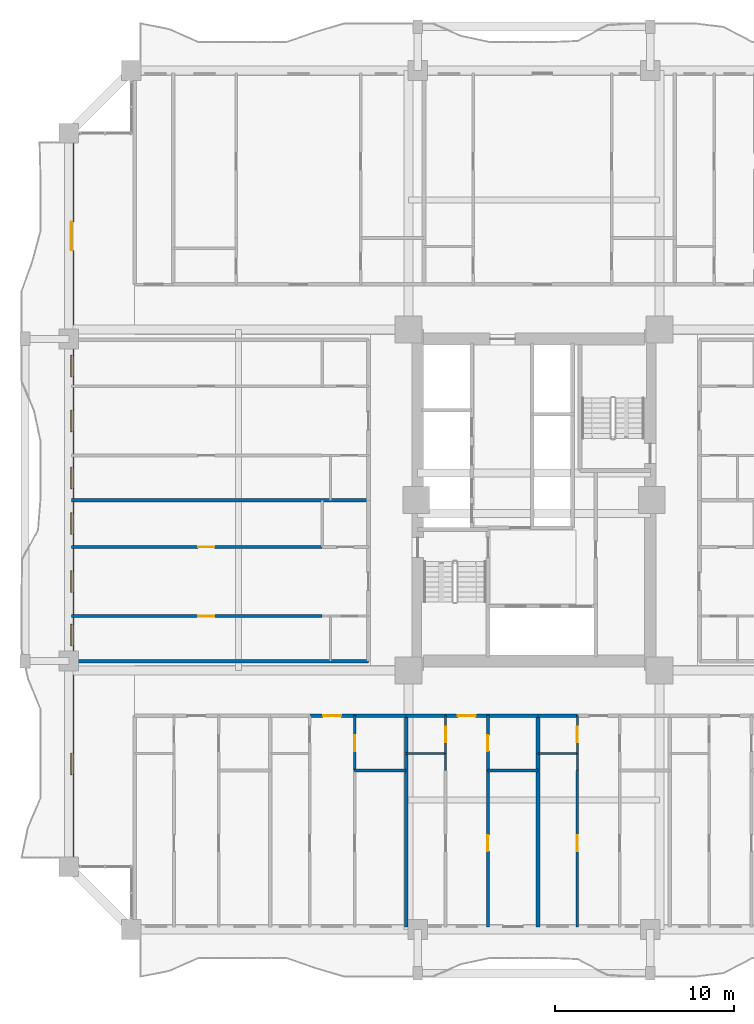
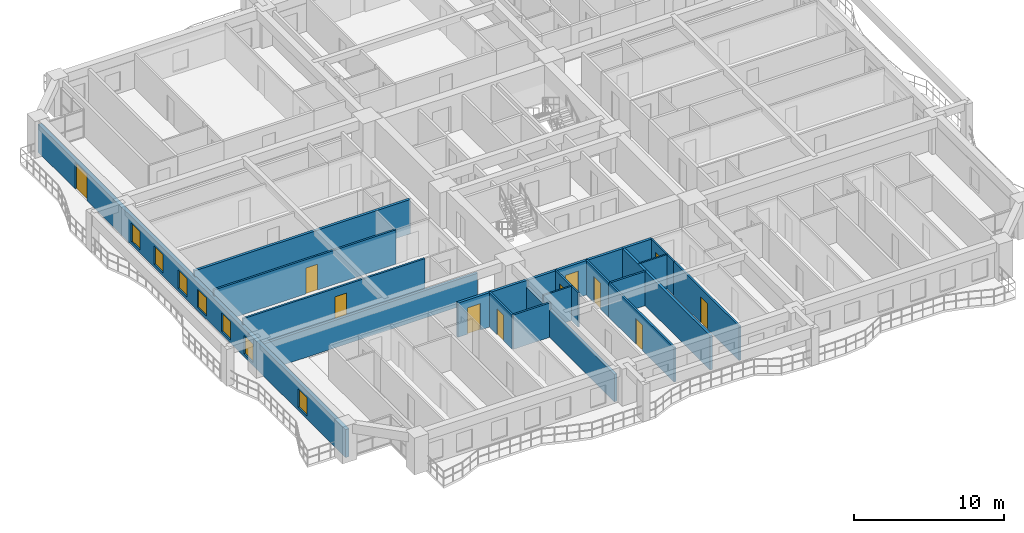
# One storey, part 15 of 28: 25 walls, 11 doors, 7 windows, 18 openings.
"""IFC4 building model written with IfcOpenShell, lengths in metres."""

from ifc_helpers import new_model, si_unit, direction, frame, frame_2d, origin, place, context, subcontext, project, spatial, rectangle, extrude, source, transform, mapped, material, layer, layer_set, type_object, element, fill, save


model = new_model("IFC4")

# Units and contexts
model_context = context("Model", 3, precision=1e-05, world=origin(), true_north=direction((0.0, 1.0)))
body_context = subcontext(model_context, "Body", "Model", "MODEL_VIEW")
ifc_project = project(units=[si_unit("LENGTHUNIT", "METRE"), si_unit("AREAUNIT", "SQUARE_METRE"), si_unit("VOLUMEUNIT", "CUBIC_METRE"), si_unit("PLANEANGLEUNIT", "RADIAN"), si_unit("MASSUNIT", "GRAM", prefix="KILO")], contexts=[model_context])

# Site, building, storey
site_placement = place(None, origin())
site = spatial("IfcSite", under=ifc_project, at=site_placement, CompositionType="ELEMENT")
building_placement = place(site_placement, origin())
building = spatial("IfcBuilding", under=site, at=building_placement, Name="Saelheon Loggia Tower", CompositionType="ELEMENT")
storey_placement = place(building_placement, frame((0.0, 0.0, 25.39990234375)))
storey = spatial("IfcBuildingStorey", under=building, at=storey_placement, Name="L07", CompositionType="ELEMENT", Elevation=25.39990234375)

# Wall, openings, windows, door
ifc_material_1 = material(Name="Architectural Precast Concrete C40/50", Category="concrete")
ifc_layer_1 = layer(ifc_material_1, 0.280029296875)
ifc_layer_set_1 = layer_set([ifc_layer_1], Name="Architectural Precast Concrete C40/50")
wall_type_1 = type_object("IfcWallType", Name="Wall_Ext_Loggia_280", PredefinedType="SOLIDWALL", material=ifc_layer_set_1)
wall_1_placement = place(storey_placement, frame((12.139892578125, 6.5, 0.0), z_axis=(0.0, 0.0, 1.0), x_axis=(0.0, 1.0, 0.0)))
wall_1 = element("IfcWall", 1, at=wall_1_placement, inside=storey, type_object=wall_type_1, Name="L07 West Loggia Inner Wall", PredefinedType="SOLIDWALL", context=body_context, shape_type="SweptSolid", body=[
    extrude(rectangle(XDim=41.0, YDim=0.280029296875, at=frame_2d((20.5, 0.0))), origin(), (0.0, 0.0, 1.0), 2.280029296875),
])
opening_1_placement = place(wall_1_placement, frame((5.14990234375, 0.0, 0.25)))
opening_1 = element("IfcOpeningElement", 2, at=opening_1_placement, cuts=wall_1, Name="Opening WN-03", PredefinedType="OPENING", context=body_context, shape_type="SweptSolid", body=[
    extrude(rectangle(XDim=1.199951171875, YDim=1.5, at=frame_2d((0.60009765625, 0.75))), frame((0.0, 0.152099609375, 0.0), z_axis=(0.0, -1.0, 0.0), x_axis=(1.0, 0.0, 0.0)), (0.0, 0.0, 1.0), 0.303955078125),
])
opening_2_placement = place(wall_1_placement, frame((12.3515625, 0.0, 0.25)))
opening_2 = element("IfcOpeningElement", 3, at=opening_2_placement, cuts=wall_1, Name="Opening WN-03", PredefinedType="OPENING", context=body_context, shape_type="SweptSolid", body=[
    extrude(rectangle(XDim=1.199951171875, YDim=1.5, at=frame_2d((0.60009765625, 0.75))), frame((0.0, 0.152099609375, 0.0), z_axis=(0.0, -1.0, 0.0), x_axis=(1.0, 0.0, 0.0)), (0.0, 0.0, 1.0), 0.303955078125),
])
opening_3_placement = place(wall_1_placement, frame((15.343994140625, 0.0, 0.25)))
opening_3 = element("IfcOpeningElement", 4, at=opening_3_placement, cuts=wall_1, Name="Opening WN-03", PredefinedType="OPENING", context=body_context, shape_type="SweptSolid", body=[
    extrude(rectangle(XDim=1.199951171875, YDim=1.5, at=frame_2d((0.60009765625, 0.75))), frame((0.0, 0.152099609375, 0.0), z_axis=(0.0, -1.0, 0.0), x_axis=(1.0, 0.0, 0.0)), (0.0, 0.0, 1.0), 0.303955078125),
])
opening_4_placement = place(wall_1_placement, frame((18.574951171875, 0.0, 0.25)))
opening_4 = element("IfcOpeningElement", 5, at=opening_4_placement, cuts=wall_1, Name="Opening WN-03", PredefinedType="OPENING", context=body_context, shape_type="SweptSolid", body=[
    extrude(rectangle(XDim=1.199951171875, YDim=1.5, at=frame_2d((0.60009765625, 0.75))), frame((0.0, 0.152099609375, 0.0), z_axis=(0.0, -1.0, 0.0), x_axis=(1.0, 0.0, 0.0)), (0.0, 0.0, 1.0), 0.303955078125),
])
opening_5_placement = place(wall_1_placement, frame((21.131591796875, 0.0, 0.25)))
opening_5 = element("IfcOpeningElement", 6, at=opening_5_placement, cuts=wall_1, Name="Opening WN-03", PredefinedType="OPENING", context=body_context, shape_type="SweptSolid", body=[
    extrude(rectangle(XDim=1.199951171875, YDim=1.5, at=frame_2d((0.60009765625, 0.75))), frame((0.0, 0.152099609375, 0.0), z_axis=(0.0, -1.0, 0.0), x_axis=(1.0, 0.0, 0.0)), (0.0, 0.0, 1.0), 0.303955078125),
])
opening_6_placement = place(wall_1_placement, frame((24.319091796875, 0.0, 0.25)))
opening_6 = element("IfcOpeningElement", 7, at=opening_6_placement, cuts=wall_1, Name="Opening WN-03", PredefinedType="OPENING", context=body_context, shape_type="SweptSolid", body=[
    extrude(rectangle(XDim=1.199951171875, YDim=1.5, at=frame_2d((0.60009765625, 0.75))), frame((0.0, 0.152099609375, 0.0), z_axis=(0.0, -1.0, 0.0), x_axis=(1.0, 0.0, 0.0)), (0.0, 0.0, 1.0), 0.303955078125),
])
opening_7_placement = place(wall_1_placement, frame((27.3798828125, 0.0, 0.25)))
opening_7 = element("IfcOpeningElement", 8, at=opening_7_placement, cuts=wall_1, Name="Opening WN-03", PredefinedType="OPENING", context=body_context, shape_type="SweptSolid", body=[
    extrude(rectangle(XDim=1.199951171875, YDim=1.5, at=frame_2d((0.60009765625, 0.75))), frame((0.0, 0.152099609375, 0.0), z_axis=(0.0, -1.0, 0.0), x_axis=(1.0, 0.0, 0.0)), (0.0, 0.0, 1.0), 0.303955078125),
])
opening_8_placement = place(wall_1_placement, frame((34.449951171875, 0.0, 0.0)))
opening_8 = element("IfcOpeningElement", 9, at=opening_8_placement, cuts=wall_1, Name="Opening DLG-1", PredefinedType="OPENING", context=body_context, shape_type="SweptSolid", body=[
    extrude(rectangle(XDim=1.60009765625, YDim=2.14990234375, at=frame_2d((0.800048828125, 1.074951171875))), frame((0.0, 0.152099609375, 0.0), z_axis=(0.0, -1.0, 0.0), x_axis=(1.0, 0.0, 0.0)), (0.0, 0.0, 1.0), 0.303955078125),
])
ifc_material_2 = material(Name="Thermal-Break Aluminium and Triple Low-E Glass", Category="aluminium")
window_type = type_object("IfcWindowType", Name="Win_Bedroom_1200x1500", PartitioningType="SINGLE_PANEL", PredefinedType="WINDOW", material=ifc_material_2)
shared_shape_1 = source(origin(), body_context, "Body", "SweptSolid", [
    extrude(rectangle(XDim=1.199951171875, YDim=1.5, at=frame_2d((0.60009765625, 0.75))), frame((0.0, 0.030029296875, 0.0), z_axis=(0.0, -1.0, 0.0), x_axis=(1.0, 0.0, 0.0)), (0.0, 0.0, 1.0), 0.06005859375),
])
window_1_placement = place(opening_1_placement, origin())
window_1 = element("IfcWindow", 10, at=window_1_placement, inside=storey, type_object=window_type, Name="L07 W Dwelling Window 1", OverallHeight=1.5, OverallWidth=1.199951171875, PartitioningType="SINGLE_PANEL", PredefinedType="WINDOW", context=body_context, shape_type="MappedRepresentation", body=[
    mapped(shared_shape_1, transform((0.0, 0.0, 0.0), scale=1.0)),
])
fill(opening_1, window_1)
window_2_placement = place(opening_2_placement, origin())
window_2 = element("IfcWindow", 11, at=window_2_placement, inside=storey, type_object=window_type, Name="L07 W Dwelling Window 2", OverallHeight=1.5, OverallWidth=1.199951171875, PartitioningType="SINGLE_PANEL", PredefinedType="WINDOW", context=body_context, shape_type="MappedRepresentation", body=[
    mapped(shared_shape_1, transform((0.0, 0.0, 0.0), scale=1.0)),
])
fill(opening_2, window_2)
window_3_placement = place(opening_3_placement, origin())
window_3 = element("IfcWindow", 12, at=window_3_placement, inside=storey, type_object=window_type, Name="L07 W Dwelling Window 3", OverallHeight=1.5, OverallWidth=1.199951171875, PartitioningType="SINGLE_PANEL", PredefinedType="WINDOW", context=body_context, shape_type="MappedRepresentation", body=[
    mapped(shared_shape_1, transform((0.0, 0.0, 0.0), scale=1.0)),
])
fill(opening_3, window_3)
window_4_placement = place(opening_4_placement, origin())
window_4 = element("IfcWindow", 13, at=window_4_placement, inside=storey, type_object=window_type, Name="L07 W Dwelling Window 4", OverallHeight=1.5, OverallWidth=1.199951171875, PartitioningType="SINGLE_PANEL", PredefinedType="WINDOW", context=body_context, shape_type="MappedRepresentation", body=[
    mapped(shared_shape_1, transform((0.0, 0.0, 0.0), scale=1.0)),
])
fill(opening_4, window_4)
window_5_placement = place(opening_5_placement, origin())
window_5 = element("IfcWindow", 14, at=window_5_placement, inside=storey, type_object=window_type, Name="L07 W Dwelling Window 5", OverallHeight=1.5, OverallWidth=1.199951171875, PartitioningType="SINGLE_PANEL", PredefinedType="WINDOW", context=body_context, shape_type="MappedRepresentation", body=[
    mapped(shared_shape_1, transform((0.0, 0.0, 0.0), scale=1.0)),
])
fill(opening_5, window_5)
window_6_placement = place(opening_6_placement, origin())
window_6 = element("IfcWindow", 15, at=window_6_placement, inside=storey, type_object=window_type, Name="L07 W Dwelling Window 6", OverallHeight=1.5, OverallWidth=1.199951171875, PartitioningType="SINGLE_PANEL", PredefinedType="WINDOW", context=body_context, shape_type="MappedRepresentation", body=[
    mapped(shared_shape_1, transform((0.0, 0.0, 0.0), scale=1.0)),
])
fill(opening_6, window_6)
window_7_placement = place(opening_7_placement, origin())
window_7 = element("IfcWindow", 16, at=window_7_placement, inside=storey, type_object=window_type, Name="L07 W Dwelling Window 7", OverallHeight=1.5, OverallWidth=1.199951171875, PartitioningType="SINGLE_PANEL", PredefinedType="WINDOW", context=body_context, shape_type="MappedRepresentation", body=[
    mapped(shared_shape_1, transform((0.0, 0.0, 0.0), scale=1.0)),
])
fill(opening_7, window_7)
ifc_material_3 = material(Name="Thermal-Break Aluminium Sliding Glazed Door", Category="aluminium")
door_type_1 = type_object("IfcDoorType", Name="Door_LoggiaSlide_1600", OperationType="SLIDING_TO_LEFT", PredefinedType="DOOR", material=ifc_material_3)
shared_shape_2 = source(origin(), body_context, "Body", "SweptSolid", [
    extrude(rectangle(XDim=1.60009765625, YDim=2.14990234375, at=frame_2d((0.800048828125, 1.074951171875))), frame((0.0, 0.02490234375, 0.0), z_axis=(0.0, -1.0, 0.0), x_axis=(1.0, 0.0, 0.0)), (0.0, 0.0, 1.0), 0.050048828125),
])
door_1_placement = place(opening_8_placement, origin())
door_1 = element("IfcDoor", 17, at=door_1_placement, inside=storey, type_object=door_type_1, Name="L07 W Loggia Access Door", OperationType="SLIDING_TO_LEFT", OverallHeight=2.14990234375, OverallWidth=1.60009765625, PredefinedType="DOOR", context=body_context, shape_type="MappedRepresentation", body=[
    mapped(shared_shape_2, transform((0.0, 0.0, 0.0), scale=1.0)),
])
fill(opening_8, door_1)

# Wall
ifc_material_4 = material(Name="Lightweight Autoclaved Aerated Concrete Block and Acoustic Gypsum", Category="concrete")
ifc_layer_2 = layer(ifc_material_4, 0.14990234375)
ifc_layer_set_2 = layer_set([ifc_layer_2], Name="Lightweight Autoclaved Aerated Concrete Block and Acoustic Gypsum")
wall_type_2 = type_object("IfcWallType", Name="Wall_Part_150", PredefinedType="PARTITIONING", material=ifc_layer_set_2)
wall_2_placement = place(storey_placement, frame((27.973876953125, 11.8798828125, 0.0), z_axis=(0.0, 0.0, 1.0), x_axis=(1.0, 0.0, 0.0)))
element("IfcWall", 18, at=wall_2_placement, inside=storey, type_object=wall_type_2, Name="L07 S Partition V18", PredefinedType="PARTITIONING", context=body_context, shape_type="SweptSolid", body=[
    extrude(rectangle(XDim=2.8837890625, YDim=0.14990234375, at=frame_2d((1.44189453125, 0.0))), origin(), (0.0, 0.0, 1.0), 2.7900390625),
])

# Wall, opening, door
wall_3_placement = place(storey_placement, frame((27.973876953125, 14.949951171875, 0.0), z_axis=(0.0, 0.0, 1.0), x_axis=(0.0, -1.0, 0.0)))
wall_3 = element("IfcWall", 19, at=wall_3_placement, inside=storey, type_object=wall_type_2, Name="L07 S Partition U22", PredefinedType="PARTITIONING", context=body_context, shape_type="SweptSolid", body=[
    extrude(rectangle(XDim=3.070068359375, YDim=0.14990234375, at=frame_2d((1.53515625, 0.0))), origin(), (0.0, 0.0, 1.0), 2.7900390625),
])
opening_9_placement = place(wall_3_placement, frame((1.0849609375, 0.0, 0.0)))
opening_9 = element("IfcOpeningElement", 20, at=opening_9_placement, cuts=wall_3, Name="Opening D-IN2", PredefinedType="OPENING", context=body_context, shape_type="SweptSolid", body=[
    extrude(rectangle(XDim=0.89990234375, YDim=2.10009765625, at=frame_2d((0.449951171875, 1.050048828125))), frame((0.0, 0.0869140625, 0.0), z_axis=(0.0, -1.0, 0.0), x_axis=(1.0, 0.0, 0.0)), (0.0, 0.0, 1.0), 0.173828125),
])
ifc_material_5 = material(Name="Engineered Oak Flush Door", Category="timber")
door_type_2 = type_object("IfcDoorType", Name="Door_Int_900", OperationType="NOTDEFINED", PredefinedType="DOOR", material=ifc_material_5)
shared_shape_3 = source(origin(), body_context, "Body", "SweptSolid", [
    extrude(rectangle(XDim=0.89990234375, YDim=2.10009765625, at=frame_2d((0.449951171875, 1.050048828125))), frame((0.0, 0.02490234375, 0.0), z_axis=(0.0, -1.0, 0.0), x_axis=(1.0, 0.0, 0.0)), (0.0, 0.0, 1.0), 0.050048828125),
])
door_2_placement = place(opening_9_placement, origin())
door_2 = element("IfcDoor", 21, at=door_2_placement, inside=storey, type_object=door_type_2, Name="Unit U02 Dressing Closet Door", OperationType="SINGLE_SWING_LEFT", OverallHeight=2.10009765625, OverallWidth=0.89990234375, PredefinedType="DOOR", context=body_context, shape_type="MappedRepresentation", body=[
    mapped(shared_shape_3, transform((0.0, 0.0, 0.0), scale=1.0)),
])
fill(opening_9, door_2)

# Wall
wall_4_placement = place(storey_placement, frame((35.42431640625, 11.8798828125, 0.0), z_axis=(0.0, 0.0, 1.0), x_axis=(1.0, 0.0, 0.0)))
element("IfcWall", 22, at=wall_4_placement, inside=storey, type_object=wall_type_2, Name="L07 S Partition V29", PredefinedType="PARTITIONING", context=body_context, shape_type="SweptSolid", body=[
    extrude(rectangle(XDim=2.798828125, YDim=0.14990234375, at=frame_2d((1.3994140625, 0.0))), origin(), (0.0, 0.0, 1.0), 2.7900390625),
])

# Wall, opening, door
wall_5_placement = place(storey_placement, frame((35.42431640625, 14.949951171875, 0.0), z_axis=(0.0, 0.0, 1.0), x_axis=(0.0, -1.0, 0.0)))
wall_5 = element("IfcWall", 23, at=wall_5_placement, inside=storey, type_object=wall_type_2, Name="L07 S Partition U33", PredefinedType="PARTITIONING", context=body_context, shape_type="SweptSolid", body=[
    extrude(rectangle(XDim=3.070068359375, YDim=0.14990234375, at=frame_2d((1.53515625, 0.0))), origin(), (0.0, 0.0, 1.0), 2.7900390625),
])
opening_10_placement = place(wall_5_placement, frame((1.0849609375, 0.0, 0.0)))
opening_10 = element("IfcOpeningElement", 24, at=opening_10_placement, cuts=wall_5, Name="Opening D-IN2", PredefinedType="OPENING", context=body_context, shape_type="SweptSolid", body=[
    extrude(rectangle(XDim=0.89990234375, YDim=2.10009765625, at=frame_2d((0.449951171875, 1.050048828125))), frame((0.0, 0.0869140625, 0.0), z_axis=(0.0, -1.0, 0.0), x_axis=(1.0, 0.0, 0.0)), (0.0, 0.0, 1.0), 0.173828125),
])
door_3_placement = place(opening_10_placement, origin())
door_3 = element("IfcDoor", 25, at=door_3_placement, inside=storey, type_object=door_type_2, Name="Unit U03 Dressing Closet Door", OperationType="SINGLE_SWING_RIGHT", OverallHeight=2.10009765625, OverallWidth=0.89990234375, PredefinedType="DOOR", context=body_context, shape_type="MappedRepresentation", body=[
    mapped(shared_shape_3, transform((0.0, 0.0, 0.0), scale=1.0)),
])
fill(opening_10, door_3)

wall_6_placement = place(storey_placement, frame((35.42431640625, 11.8798828125, 0.0), z_axis=(0.0, 0.0, 1.0), x_axis=(0.0, -1.0, 0.0)))
wall_6 = element("IfcWall", 26, at=wall_6_placement, inside=storey, type_object=wall_type_2, Name="L07 S Partition U34", PredefinedType="PARTITIONING", context=body_context, shape_type="SweptSolid", body=[
    extrude(rectangle(XDim=8.72998046875, YDim=0.14990234375, at=frame_2d((4.364990234375, 0.0))), origin(), (0.0, 0.0, 1.0), 2.7900390625),
])
opening_11_placement = place(wall_6_placement, frame((3.608642578125, 0.0, 0.0)))
opening_11 = element("IfcOpeningElement", 27, at=opening_11_placement, cuts=wall_6, Name="Opening D-IN2", PredefinedType="OPENING", context=body_context, shape_type="SweptSolid", body=[
    extrude(rectangle(XDim=0.89990234375, YDim=2.10009765625, at=frame_2d((0.449951171875, 1.050048828125))), frame((0.0, 0.0869140625, 0.0), z_axis=(0.0, -1.0, 0.0), x_axis=(1.0, 0.0, 0.0)), (0.0, 0.0, 1.0), 0.173828125),
])
door_4_placement = place(opening_11_placement, origin())
door_4 = element("IfcDoor", 28, at=door_4_placement, inside=storey, type_object=door_type_2, Name="Unit U03 Bedroom 1 Door", OperationType="SINGLE_SWING_LEFT", OverallHeight=2.10009765625, OverallWidth=0.89990234375, PredefinedType="DOOR", context=body_context, shape_type="MappedRepresentation", body=[
    mapped(shared_shape_3, transform((0.0, 0.0, 0.0), scale=1.0)),
])
fill(opening_11, door_4)

wall_7_placement = place(storey_placement, frame((40.423095703125, 11.8798828125, 0.0), z_axis=(0.0, 0.0, 1.0), x_axis=(0.0, -1.0, 0.0)))
wall_7 = element("IfcWall", 29, at=wall_7_placement, inside=storey, type_object=wall_type_2, Name="L07 S Partition U43", PredefinedType="PARTITIONING", context=body_context, shape_type="SweptSolid", body=[
    extrude(rectangle(XDim=8.72998046875, YDim=0.14990234375, at=frame_2d((4.364990234375, 0.0))), origin(), (0.0, 0.0, 1.0), 2.7900390625),
])
opening_12_placement = place(wall_7_placement, frame((3.608642578125, 0.0, 0.0)))
opening_12 = element("IfcOpeningElement", 30, at=opening_12_placement, cuts=wall_7, Name="Opening D-IN2", PredefinedType="OPENING", context=body_context, shape_type="SweptSolid", body=[
    extrude(rectangle(XDim=0.89990234375, YDim=2.10009765625, at=frame_2d((0.449951171875, 1.050048828125))), frame((0.0, 0.0869140625, 0.0), z_axis=(0.0, -1.0, 0.0), x_axis=(1.0, 0.0, 0.0)), (0.0, 0.0, 1.0), 0.173828125),
])
door_5_placement = place(opening_12_placement, origin())
door_5 = element("IfcDoor", 31, at=door_5_placement, inside=storey, type_object=door_type_2, Name="Unit U04 Kitchen Door", OperationType="SINGLE_SWING_RIGHT", OverallHeight=2.10009765625, OverallWidth=0.89990234375, PredefinedType="DOOR", context=body_context, shape_type="MappedRepresentation", body=[
    mapped(shared_shape_3, transform((0.0, 0.0, 0.0), scale=1.0)),
])
fill(opening_12, door_5)

wall_8_placement = place(storey_placement, frame((26.159912109375, 20.512939453125, 0.0), z_axis=(0.0, 0.0, 1.0), x_axis=(-1.0, 0.0, 0.0)))
wall_8 = element("IfcWall", 32, at=wall_8_placement, inside=storey, type_object=wall_type_2, Name="L07 W Partition U10", PredefinedType="PARTITIONING", context=body_context, shape_type="SweptSolid", body=[
    extrude(rectangle(XDim=14.010009765625, YDim=0.14990234375, at=frame_2d((7.0048828125, 0.0))), origin(), (0.0, 0.0, 1.0), 2.7900390625),
])
opening_13_placement = place(wall_8_placement, frame((6.02880859375, 0.0, 0.0)))
opening_13 = element("IfcOpeningElement", 33, at=opening_13_placement, cuts=wall_8, Name="Opening D-IN2", PredefinedType="OPENING", context=body_context, shape_type="SweptSolid", body=[
    extrude(rectangle(XDim=0.89990234375, YDim=2.10009765625, at=frame_2d((0.449951171875, 1.050048828125))), frame((0.0, 0.0869140625, 0.0), z_axis=(0.0, -1.0, 0.0), x_axis=(1.0, 0.0, 0.0)), (0.0, 0.0, 1.0), 0.173828125),
])
door_6_placement = place(opening_13_placement, origin())
door_6 = element("IfcDoor", 34, at=door_6_placement, inside=storey, type_object=door_type_2, Name="Unit U11 Kitchen Door", OperationType="SINGLE_SWING_RIGHT", OverallHeight=2.10009765625, OverallWidth=0.89990234375, PredefinedType="DOOR", context=body_context, shape_type="MappedRepresentation", body=[
    mapped(shared_shape_3, transform((0.0, 0.0, 0.0), scale=1.0)),
])
fill(opening_13, door_6)

wall_9_placement = place(storey_placement, frame((26.159912109375, 24.375, 0.0), z_axis=(0.0, 0.0, 1.0), x_axis=(-1.0, 0.0, 0.0)))
wall_9 = element("IfcWall", 35, at=wall_9_placement, inside=storey, type_object=wall_type_2, Name="L07 W Partition U12", PredefinedType="PARTITIONING", context=body_context, shape_type="SweptSolid", body=[
    extrude(rectangle(XDim=14.010009765625, YDim=0.14990234375, at=frame_2d((7.0048828125, 0.0))), origin(), (0.0, 0.0, 1.0), 2.7900390625),
])
opening_14_placement = place(wall_9_placement, frame((6.02880859375, 0.0, 0.0)))
opening_14 = element("IfcOpeningElement", 36, at=opening_14_placement, cuts=wall_9, Name="Opening D-IN2", PredefinedType="OPENING", context=body_context, shape_type="SweptSolid", body=[
    extrude(rectangle(XDim=0.89990234375, YDim=2.10009765625, at=frame_2d((0.449951171875, 1.050048828125))), frame((0.0, 0.0869140625, 0.0), z_axis=(0.0, -1.0, 0.0), x_axis=(1.0, 0.0, 0.0)), (0.0, 0.0, 1.0), 0.173828125),
])
door_7_placement = place(opening_14_placement, origin())
door_7 = element("IfcDoor", 37, at=door_7_placement, inside=storey, type_object=door_type_2, Name="Unit U11 Bedroom 1 Door", OperationType="SINGLE_SWING_RIGHT", OverallHeight=2.10009765625, OverallWidth=0.89990234375, PredefinedType="DOOR", context=body_context, shape_type="MappedRepresentation", body=[
    mapped(shared_shape_3, transform((0.0, 0.0, 0.0), scale=1.0)),
])
fill(opening_14, door_7)

ifc_material_6 = material(Name="Double Acoustic Stud and Fireboard Partition", Category="gypsum")
ifc_layer_3 = layer(ifc_material_6, 0.199951171875)
ifc_layer_set_3 = layer_set([ifc_layer_3], Name="Double Acoustic Stud and Fireboard Partition")
wall_type_3 = type_object("IfcWallType", Name="Wall_Party_200", PredefinedType="PARTITIONING", material=ifc_layer_set_3)
wall_10_placement = place(storey_placement, frame((25.46875, 14.949951171875, 0.0), z_axis=(0.0, 0.0, 1.0), x_axis=(1.0, 0.0, 0.0)))
wall_10 = element("IfcWall", 38, at=wall_10_placement, inside=storey, type_object=wall_type_3, Name="L07 S Partition V15", PredefinedType="PARTITIONING", context=body_context, shape_type="SweptSolid", body=[
    extrude(rectangle(XDim=2.505126953125, YDim=0.199951171875, at=frame_2d((1.25244140625, 0.0))), origin(), (0.0, 0.0, 1.0), 2.7900390625),
])
opening_15_placement = place(wall_10_placement, frame((0.75244140625, 0.0, 0.0)))
opening_15 = element("IfcOpeningElement", 39, at=opening_15_placement, cuts=wall_10, Name="Opening D-FD1", PredefinedType="OPENING", context=body_context, shape_type="SweptSolid", body=[
    extrude(rectangle(XDim=1.0, YDim=2.14990234375, at=frame_2d((0.5, 1.074951171875))), frame((0.0, 0.112060546875, 0.0), z_axis=(0.0, -1.0, 0.0), x_axis=(1.0, 0.0, 0.0)), (0.0, 0.0, 1.0), 0.223876953125),
])
ifc_material_7 = material(Name="Fire-Rated Engineered Timber Entrance Door", Category="wood")
door_type_3 = type_object("IfcDoorType", Name="Door_Flat_FD30S", OperationType="NOTDEFINED", PredefinedType="DOOR", material=ifc_material_7)
shared_shape_4 = source(origin(), body_context, "Body", "SweptSolid", [
    extrude(rectangle(XDim=1.0, YDim=2.14990234375, at=frame_2d((0.5, 1.074951171875))), frame((0.0, 0.02490234375, 0.0), z_axis=(0.0, -1.0, 0.0), x_axis=(1.0, 0.0, 0.0)), (0.0, 0.0, 1.0), 0.050048828125),
])
door_8_placement = place(opening_15_placement, origin())
door_8 = element("IfcDoor", 40, at=door_8_placement, inside=storey, type_object=door_type_3, Name="Unit U02 Entrance Door", OperationType="SINGLE_SWING_RIGHT", OverallHeight=2.14990234375, OverallWidth=1.0, PredefinedType="DOOR", context=body_context, shape_type="MappedRepresentation", body=[
    mapped(shared_shape_4, transform((0.0, 0.0, 0.0), scale=1.0)),
])
fill(opening_15, door_8)

# Walls
wall_11_placement = place(storey_placement, frame((27.973876953125, 14.949951171875, 0.0), z_axis=(0.0, 0.0, 1.0), x_axis=(1.0, 0.0, 0.0)))
element("IfcWall", 41, at=wall_11_placement, inside=storey, type_object=wall_type_3, Name="L07 S Partition V16", PredefinedType="PARTITIONING", context=body_context, shape_type="SweptSolid", body=[
    extrude(rectangle(XDim=2.8837890625, YDim=0.199951171875, at=frame_2d((1.44189453125, 0.0))), origin(), (0.0, 0.0, 1.0), 2.7900390625),
])
wall_12_placement = place(storey_placement, frame((30.857666015625, 14.949951171875, 0.0), z_axis=(0.0, 0.0, 1.0), x_axis=(0.0, -1.0, 0.0)))
element("IfcWall", 42, at=wall_12_placement, inside=storey, type_object=wall_type_3, Name="L07 S Partition U24", PredefinedType="PARTITIONING", context=body_context, shape_type="SweptSolid", body=[
    extrude(rectangle(XDim=11.800048828125, YDim=0.199951171875, at=frame_2d((5.89990234375, 0.0))), origin(), (0.0, 0.0, 1.0), 2.239990234375),
])
wall_13_placement = place(storey_placement, frame((30.857666015625, 14.949951171875, 0.0), z_axis=(0.0, 0.0, 1.0), x_axis=(1.0, 0.0, 0.0)))
element("IfcWall", 43, at=wall_13_placement, inside=storey, type_object=wall_type_3, Name="L07 S Partition V25", PredefinedType="PARTITIONING", context=body_context, shape_type="SweptSolid", body=[
    extrude(rectangle(XDim=2.199951171875, YDim=0.199951171875, at=frame_2d((1.10009765625, 0.0))), origin(), (0.0, 0.0, 1.0), 2.7900390625),
])

# Wall, opening, door
wall_14_placement = place(storey_placement, frame((33.0576171875, 14.949951171875, 0.0), z_axis=(0.0, 0.0, 1.0), x_axis=(1.0, 0.0, 0.0)))
wall_14 = element("IfcWall", 44, at=wall_14_placement, inside=storey, type_object=wall_type_3, Name="L07 S Partition V26", PredefinedType="PARTITIONING", context=body_context, shape_type="SweptSolid", body=[
    extrude(rectangle(XDim=2.36669921875, YDim=0.199951171875, at=frame_2d((1.183349609375, 0.0))), origin(), (0.0, 0.0, 1.0), 2.7900390625),
])
opening_16_placement = place(wall_14_placement, frame((0.683349609375, 0.0, 0.0)))
opening_16 = element("IfcOpeningElement", 45, at=opening_16_placement, cuts=wall_14, Name="Opening D-FD1", PredefinedType="OPENING", context=body_context, shape_type="SweptSolid", body=[
    extrude(rectangle(XDim=1.0, YDim=2.14990234375, at=frame_2d((0.5, 1.074951171875))), frame((0.0, 0.112060546875, 0.0), z_axis=(0.0, -1.0, 0.0), x_axis=(1.0, 0.0, 0.0)), (0.0, 0.0, 1.0), 0.223876953125),
])
door_9_placement = place(opening_16_placement, origin())
door_9 = element("IfcDoor", 46, at=door_9_placement, inside=storey, type_object=door_type_3, Name="Unit U03 Entrance Door", OperationType="SINGLE_SWING_LEFT", OverallHeight=2.14990234375, OverallWidth=1.0, PredefinedType="DOOR", context=body_context, shape_type="MappedRepresentation", body=[
    mapped(shared_shape_4, transform((0.0, 0.0, 0.0), scale=1.0)),
])
fill(opening_16, door_9)

# Walls
wall_15_placement = place(storey_placement, frame((35.42431640625, 14.949951171875, 0.0), z_axis=(0.0, 0.0, 1.0), x_axis=(1.0, 0.0, 0.0)))
element("IfcWall", 47, at=wall_15_placement, inside=storey, type_object=wall_type_3, Name="L07 S Partition V27", PredefinedType="PARTITIONING", context=body_context, shape_type="SweptSolid", body=[
    extrude(rectangle(XDim=2.798828125, YDim=0.199951171875, at=frame_2d((1.3994140625, 0.0))), origin(), (0.0, 0.0, 1.0), 2.7900390625),
])
wall_16_placement = place(storey_placement, frame((38.22314453125, 14.949951171875, 0.0), z_axis=(0.0, 0.0, 1.0), x_axis=(0.0, -1.0, 0.0)))
element("IfcWall", 48, at=wall_16_placement, inside=storey, type_object=wall_type_3, Name="L07 S Partition U35", PredefinedType="PARTITIONING", context=body_context, shape_type="SweptSolid", body=[
    extrude(rectangle(XDim=11.800048828125, YDim=0.199951171875, at=frame_2d((5.89990234375, 0.0))), origin(), (0.0, 0.0, 1.0), 2.7900390625),
])
wall_17_placement = place(storey_placement, frame((38.22314453125, 14.949951171875, 0.0), z_axis=(0.0, 0.0, 1.0), x_axis=(1.0, 0.0, 0.0)))
element("IfcWall", 49, at=wall_17_placement, inside=storey, type_object=wall_type_3, Name="L07 S Partition V36", PredefinedType="PARTITIONING", context=body_context, shape_type="SweptSolid", body=[
    extrude(rectangle(XDim=2.199951171875, YDim=0.199951171875, at=frame_2d((1.10009765625, 0.0))), origin(), (0.0, 0.0, 1.0), 2.7900390625),
])
wall_18_placement = place(storey_placement, frame((28.75, 18.0, 0.0), z_axis=(0.0, 0.0, 1.0), x_axis=(-1.0, 0.0, 0.0)))
element("IfcWall", 50, at=wall_18_placement, inside=storey, type_object=wall_type_3, Name="L07 W Partition U01", PredefinedType="PARTITIONING", context=body_context, shape_type="SweptSolid", body=[
    extrude(rectangle(XDim=16.60009765625, YDim=0.199951171875, at=frame_2d((8.300048828125, 0.0))), origin(), (0.0, 0.0, 1.0), 2.239990234375),
])
wall_19_placement = place(storey_placement, frame((28.75, 26.97509765625, 0.0), z_axis=(0.0, 0.0, 1.0), x_axis=(-1.0, 0.0, 0.0)))
element("IfcWall", 51, at=wall_19_placement, inside=storey, type_object=wall_type_3, Name="L07 W Partition U13", PredefinedType="PARTITIONING", context=body_context, shape_type="SweptSolid", body=[
    extrude(rectangle(XDim=16.60009765625, YDim=0.199951171875, at=frame_2d((8.300048828125, 0.0))), origin(), (0.0, 0.0, 1.0), 2.7900390625),
])
ifc_material_8 = material(Name="Moisture-Resistant Cement Board Partition", Category="gypsum")
ifc_layer_4 = layer(ifc_material_8, 0.1201171875)
ifc_layer_set_4 = layer_set([ifc_layer_4], Name="Moisture-Resistant Cement Board Partition")
wall_type_4 = type_object("IfcWallType", Name="Wall_WetPart_120", PredefinedType="PARTITIONING", material=ifc_layer_set_4)
wall_20_placement = place(storey_placement, frame((30.857666015625, 12.830078125, 0.0), z_axis=(0.0, 0.0, 1.0), x_axis=(1.0, 0.0, 0.0)))
element("IfcWall", 52, at=wall_20_placement, inside=storey, type_object=wall_type_4, Name="L07 S Partition V28", PredefinedType="PARTITIONING", context=body_context, shape_type="SweptSolid", body=[
    extrude(rectangle(XDim=2.199951171875, YDim=0.1201171875, at=frame_2d((1.10009765625, 0.0))), origin(), (0.0, 0.0, 1.0), 2.7900390625),
])

# Wall, opening, door
wall_21_placement = place(storey_placement, frame((33.0576171875, 14.949951171875, 0.0), z_axis=(0.0, 0.0, 1.0), x_axis=(0.0, -1.0, 0.0)))
wall_21 = element("IfcWall", 53, at=wall_21_placement, inside=storey, type_object=wall_type_4, Name="L07 S Partition U30", PredefinedType="PARTITIONING", context=body_context, shape_type="SweptSolid", body=[
    extrude(rectangle(XDim=2.119873046875, YDim=0.1201171875, at=frame_2d((1.06005859375, 0.0))), origin(), (0.0, 0.0, 1.0), 2.7900390625),
])
opening_17_placement = place(wall_21_placement, frame((0.635009765625, 0.0, 0.0)))
opening_17 = element("IfcOpeningElement", 54, at=opening_17_placement, cuts=wall_21, Name="Opening D-BT1", PredefinedType="OPENING", context=body_context, shape_type="SweptSolid", body=[
    extrude(rectangle(XDim=0.85009765625, YDim=2.050048828125, at=frame_2d((0.425048828125, 1.02490234375))), frame((0.0, 0.072021484375, 0.0), z_axis=(0.0, -1.0, 0.0), x_axis=(1.0, 0.0, 0.0)), (0.0, 0.0, 1.0), 0.14404296875),
])
ifc_material_9 = material(Name="Moisture-Resistant Laminate Timber Door", Category="wood")
door_type_4 = type_object("IfcDoorType", Name="Door_Bath_850", OperationType="NOTDEFINED", PredefinedType="DOOR", material=ifc_material_9)
shared_shape_5 = source(origin(), body_context, "Body", "SweptSolid", [
    extrude(rectangle(XDim=0.85009765625, YDim=2.050048828125, at=frame_2d((0.425048828125, 1.02490234375))), frame((0.0, 0.02490234375, 0.0), z_axis=(0.0, -1.0, 0.0), x_axis=(1.0, 0.0, 0.0)), (0.0, 0.0, 1.0), 0.050048828125),
])
door_10_placement = place(opening_17_placement, origin())
door_10 = element("IfcDoor", 55, at=door_10_placement, inside=storey, type_object=door_type_4, Name="Unit U03 Bathroom Door", OperationType="SINGLE_SWING_RIGHT", OverallHeight=2.050048828125, OverallWidth=0.85009765625, PredefinedType="DOOR", context=body_context, shape_type="MappedRepresentation", body=[
    mapped(shared_shape_5, transform((0.0, 0.0, 0.0), scale=1.0)),
])
fill(opening_17, door_10)

# Walls
wall_22_placement = place(storey_placement, frame((33.0576171875, 12.830078125, 0.0), z_axis=(0.0, 0.0, 1.0), x_axis=(0.0, -1.0, 0.0)))
element("IfcWall", 56, at=wall_22_placement, inside=storey, type_object=wall_type_4, Name="L07 S Partition U31", PredefinedType="PARTITIONING", context=body_context, shape_type="SweptSolid", body=[
    extrude(rectangle(XDim=0.9501953125, YDim=0.1201171875, at=frame_2d((0.47509765625, 0.0))), origin(), (0.0, 0.0, 1.0), 2.7900390625),
])
wall_23_placement = place(storey_placement, frame((38.22314453125, 12.830078125, 0.0), z_axis=(0.0, 0.0, 1.0), x_axis=(1.0, 0.0, 0.0)))
element("IfcWall", 57, at=wall_23_placement, inside=storey, type_object=wall_type_4, Name="L07 S Partition V39", PredefinedType="PARTITIONING", context=body_context, shape_type="SweptSolid", body=[
    extrude(rectangle(XDim=2.199951171875, YDim=0.1201171875, at=frame_2d((1.10009765625, 0.0))), origin(), (0.0, 0.0, 1.0), 2.7900390625),
])

# Wall, opening, door
wall_24_placement = place(storey_placement, frame((40.423095703125, 14.949951171875, 0.0), z_axis=(0.0, 0.0, 1.0), x_axis=(0.0, -1.0, 0.0)))
wall_24 = element("IfcWall", 58, at=wall_24_placement, inside=storey, type_object=wall_type_4, Name="L07 S Partition U41", PredefinedType="PARTITIONING", context=body_context, shape_type="SweptSolid", body=[
    extrude(rectangle(XDim=2.119873046875, YDim=0.1201171875, at=frame_2d((1.06005859375, 0.0))), origin(), (0.0, 0.0, 1.0), 2.7900390625),
])
opening_18_placement = place(wall_24_placement, frame((0.635009765625, 0.0, 0.0)))
opening_18 = element("IfcOpeningElement", 59, at=opening_18_placement, cuts=wall_24, Name="Opening D-BT1", PredefinedType="OPENING", context=body_context, shape_type="SweptSolid", body=[
    extrude(rectangle(XDim=0.85009765625, YDim=2.050048828125, at=frame_2d((0.425048828125, 1.02490234375))), frame((0.0, 0.072021484375, 0.0), z_axis=(0.0, -1.0, 0.0), x_axis=(1.0, 0.0, 0.0)), (0.0, 0.0, 1.0), 0.14404296875),
])
door_11_placement = place(opening_18_placement, origin())
door_11 = element("IfcDoor", 60, at=door_11_placement, inside=storey, type_object=door_type_4, Name="Unit U04 Bathroom Door", OperationType="SINGLE_SWING_LEFT", OverallHeight=2.050048828125, OverallWidth=0.85009765625, PredefinedType="DOOR", context=body_context, shape_type="MappedRepresentation", body=[
    mapped(shared_shape_5, transform((0.0, 0.0, 0.0), scale=1.0)),
])
fill(opening_18, door_11)

# Wall
wall_25_placement = place(storey_placement, frame((40.423095703125, 12.830078125, 0.0), z_axis=(0.0, 0.0, 1.0), x_axis=(0.0, -1.0, 0.0)))
element("IfcWall", 61, at=wall_25_placement, inside=storey, type_object=wall_type_4, Name="L07 S Partition U42", PredefinedType="PARTITIONING", context=body_context, shape_type="SweptSolid", body=[
    extrude(rectangle(XDim=0.9501953125, YDim=0.1201171875, at=frame_2d((0.47509765625, 0.0))), origin(), (0.0, 0.0, 1.0), 2.7900390625),
])

save(model, "model.ifc")
